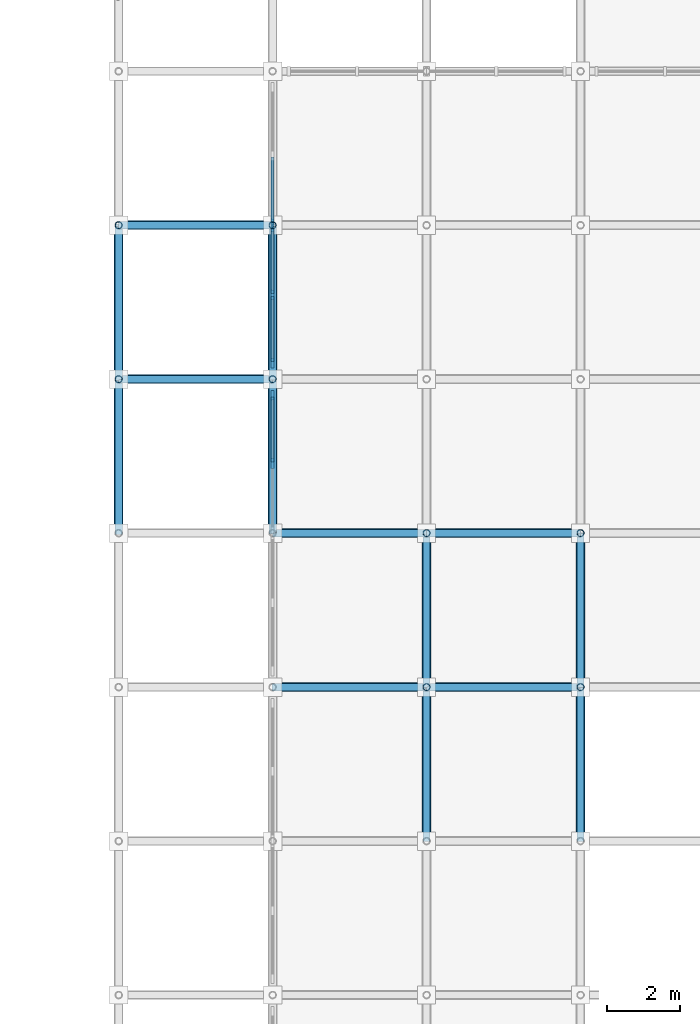
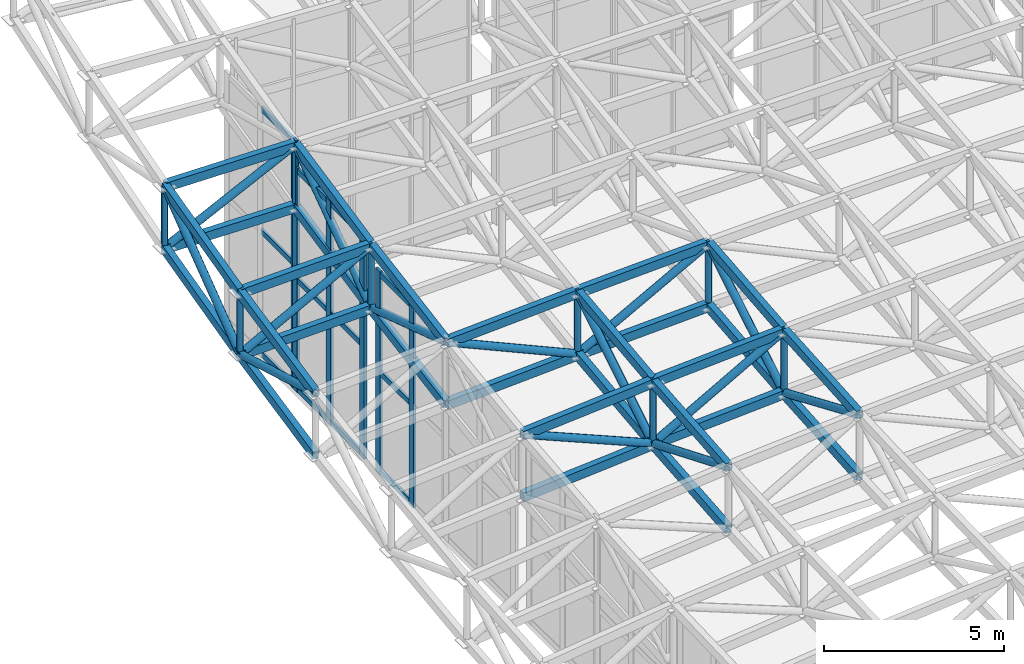
# One storey, part 44 of 123: 68 members, 3 elements without a shape of their own.
"""IFC4 building model written with IfcOpenShell, lengths in metres."""

from ifc_helpers import new_model, si_unit, direction, frame, origin, origin_2d, place, context, subcontext, project, spatial, rectangle, hollow_rectangle, hollow_circle, extrude, material, material_profile, profile_set, type_object, element, aggregate, save


model = new_model("IFC4")

# Units and contexts
model_context = context("Model", 3, precision=1e-05, world=origin(), true_north=direction((0.0, 1.0)))
body_context = subcontext(model_context, "Body", "Model", "MODEL_VIEW")
ifc_project = project(units=[si_unit("LENGTHUNIT", "METRE"), si_unit("AREAUNIT", "SQUARE_METRE"), si_unit("VOLUMEUNIT", "CUBIC_METRE"), si_unit("PLANEANGLEUNIT", "RADIAN"), si_unit("MASSUNIT", "GRAM", prefix="KILO")], contexts=[model_context])

# Site, building, storey
site_placement = place(None, origin())
site = spatial("IfcSite", under=ifc_project, at=site_placement, CompositionType="ELEMENT")
building_placement = place(site_placement, origin())
building = spatial("IfcBuilding", under=site, at=building_placement, Name="Cumbredor Promenade Congress Hotel", CompositionType="ELEMENT")
storey_placement = place(building_placement, frame((0.0, 0.0, 11.760009765625)))
storey = spatial("IfcBuildingStorey", under=building, at=storey_placement, Name="L03", CompositionType="ELEMENT", Elevation=11.760009765625)

# Members
ifc_material_1 = material(Name="Steel ASTM A500 Grade C", Category="steel")
ifc_material_profile_1 = material_profile(ifc_material_1, hollow_rectangle(XDim=0.199951171875, YDim=0.300048828125, WallThickness=0.012451171875, at=origin_2d()), Name="HSS 300x200x12.5")
ifc_profile_set_1 = profile_set([ifc_material_profile_1], Name="Steel ASTM A500 Grade C")
member_type_1 = type_object("IfcMemberType", Name="Ballroom Roof Space Frame Chord", PredefinedType="CHORD", material=ifc_profile_set_1)
for number, where, z_axis, x_axis, name in (
    (1, (142.800048828125, 50.39990234375, 6.106689453125), (0.997042541012, 0.0, 0.076851619449), (0.0, 1.0, 0.0), "Grand Ballroom Pavilion X Top Chord 2.13"),
    (2, (142.800048828125, 50.39990234375, 4.006591796875), (0.997042541012, 0.0, 0.076851619449), (0.0, 1.0, 0.0), "Grand Ballroom Pavilion X Bottom Chord 2.13"),
):
    element("IfcMember", number, at=place(storey_placement, frame(where, z_axis=z_axis, x_axis=x_axis)), inside=storey, type_object=member_type_1, Name=name, PredefinedType="CHORD", context=body_context, shape_type="SweptSolid", body=[
        extrude(hollow_rectangle(XDim=0.199951171875, YDim=0.300048828125, WallThickness=0.012451171875, at=origin_2d()), origin(), (0.0, 0.0, 1.0), 4.21240234375),
    ])
for number, where, z_axis, x_axis, name in (
    (3, (147.0, 50.39990234375, 6.430419921875), (0.998208936588, 0.0, 0.059824066362), (0.0, 1.0, 0.0), "Grand Ballroom Pavilion X Top Chord 3.13"),
    (4, (147.0, 50.39990234375, 4.330322265625), (0.998205469834, 0.0, 0.059881883675), (0.0, 1.0, 0.0), "Grand Ballroom Pavilion X Bottom Chord 3.13"),
):
    element("IfcMember", number, at=place(storey_placement, frame(where, z_axis=z_axis, x_axis=x_axis)), inside=storey, type_object=member_type_1, Name=name, PredefinedType="CHORD", context=body_context, shape_type="SweptSolid", body=[
        extrude(hollow_rectangle(XDim=0.199951171875, YDim=0.300048828125, WallThickness=0.012451171875, at=origin_2d()), origin(), (0.0, 0.0, 1.0), 4.20751953125),
    ])
for number, where, z_axis, x_axis, name in (
    (5, (142.800048828125, 54.60009765625, 6.69189453125), (0.998569958899, 0.0, 0.05346061339), (0.0, 1.0, 0.0), "Grand Ballroom Pavilion X Top Chord 2.14"),
    (6, (142.800048828125, 54.60009765625, 4.592041015625), (0.998573055983, 0.0, 0.05340273275), (0.0, 1.0, 0.0), "Grand Ballroom Pavilion X Bottom Chord 2.14"),
):
    element("IfcMember", number, at=place(storey_placement, frame(where, z_axis=z_axis, x_axis=x_axis)), inside=storey, type_object=member_type_1, Name=name, PredefinedType="CHORD", context=body_context, shape_type="SweptSolid", body=[
        extrude(hollow_rectangle(XDim=0.199951171875, YDim=0.300048828125, WallThickness=0.012451171875, at=origin_2d()), origin(), (0.0, 0.0, 1.0), 4.2060546875),
    ])
for number, where, z_axis, x_axis, name in (
    (7, (147.0, 54.60009765625, 6.916748046875), (0.999137395956, 0.0, 0.041526666169), (0.0, 1.0, 0.0), "Grand Ballroom Pavilion X Top Chord 3.14"),
    (8, (147.0, 54.60009765625, 4.816650390625), (0.999137395956, 0.0, 0.041526666169), (0.0, 1.0, 0.0), "Grand Ballroom Pavilion X Bottom Chord 3.14"),
):
    element("IfcMember", number, at=place(storey_placement, frame(where, z_axis=z_axis, x_axis=x_axis)), inside=storey, type_object=member_type_1, Name=name, PredefinedType="CHORD", context=body_context, shape_type="SweptSolid", body=[
        extrude(hollow_rectangle(XDim=0.199951171875, YDim=0.300048828125, WallThickness=0.012451171875, at=origin_2d()), origin(), (0.0, 0.0, 1.0), 4.20361328125),
    ])
for number, where, z_axis, x_axis, name in (
    (9, (138.60009765625, 58.800048828125, 7.3037109375), (0.999592939117, 0.0, 0.028529915312), (0.0, 1.0, 0.0), "Grand Ballroom Pavilion X Top Chord 1.15"),
    (10, (138.60009765625, 58.800048828125, 5.20361328125), (0.999592939117, 0.0, 0.028529915312), (0.0, 1.0, 0.0), "Grand Ballroom Pavilion X Bottom Chord 1.15"),
):
    element("IfcMember", number, at=place(storey_placement, frame(where, z_axis=z_axis, x_axis=x_axis)), inside=storey, type_object=member_type_1, Name=name, PredefinedType="CHORD", context=body_context, shape_type="SweptSolid", body=[
        extrude(hollow_rectangle(XDim=0.199951171875, YDim=0.300048828125, WallThickness=0.012451171875, at=origin_2d()), origin(), (0.0, 0.0, 1.0), 4.20166015625),
    ])
for number, where, z_axis, x_axis, name in (
    (11, (138.60009765625, 63.0, 8.36376953125), (0.99988929444, 0.0, -0.014879477962), (0.0, 1.0, 0.0), "Grand Ballroom Pavilion X Top Chord 1.16"),
    (12, (138.60009765625, 63.0, 6.263916015625), (0.999888428009, 0.0, -0.014937587979), (0.0, 1.0, 0.0), "Grand Ballroom Pavilion X Bottom Chord 1.16"),
):
    element("IfcMember", number, at=place(storey_placement, frame(where, z_axis=z_axis, x_axis=x_axis)), inside=storey, type_object=member_type_1, Name=name, PredefinedType="CHORD", context=body_context, shape_type="SweptSolid", body=[
        extrude(hollow_rectangle(XDim=0.199951171875, YDim=0.300048828125, WallThickness=0.012451171875, at=origin_2d()), origin(), (0.0, 0.0, 1.0), 4.200439453125),
    ])
for number, where, z_axis, x_axis, name in (
    (13, (138.60009765625, 54.60009765625, 6.419677734375), (0.0, 0.978557630203, 0.205973212752), (-1.0, 0.0, 0.0), "Grand Ballroom Pavilion Y Top Chord 1.14"),
    (14, (138.60009765625, 54.60009765625, 4.31982421875), (0.0, 0.978569093962, 0.205918742088), (-1.0, 0.0, 0.0), "Grand Ballroom Pavilion Y Bottom Chord 1.14"),
):
    element("IfcMember", number, at=place(storey_placement, frame(where, z_axis=z_axis, x_axis=x_axis)), inside=storey, type_object=member_type_1, Name=name, PredefinedType="CHORD", context=body_context, shape_type="SweptSolid", body=[
        extrude(hollow_rectangle(XDim=0.199951171875, YDim=0.300048828125, WallThickness=0.012451171875, at=origin_2d()), origin(), (0.0, 0.0, 1.0), 4.2919921875),
    ])
member_1_placement = place(storey_placement, frame((138.60009765625, 58.800048828125, 7.3037109375), z_axis=(0.0, 0.969592990893, 0.24472317424), x_axis=(-1.0, 0.0, 0.0)))
element("IfcMember", 15, at=member_1_placement, inside=storey, type_object=member_type_1, Name="Grand Ballroom Pavilion Y Top Chord 1.15", PredefinedType="CHORD", context=body_context, shape_type="SweptSolid", body=[
    extrude(hollow_rectangle(XDim=0.199951171875, YDim=0.300048828125, WallThickness=0.012451171875, at=origin_2d()), origin(), (0.0, 0.0, 1.0), 4.33154296875),
])
member_2_placement = place(storey_placement, frame((138.60009765625, 58.800048828125, 5.20361328125), z_axis=(0.0, 0.969579615984, 0.24477615952), x_axis=(-1.0, 0.0, 0.0)))
element("IfcMember", 16, at=member_2_placement, inside=storey, type_object=member_type_1, Name="Grand Ballroom Pavilion Y Bottom Chord 1.15", PredefinedType="CHORD", context=body_context, shape_type="SweptSolid", body=[
    extrude(hollow_rectangle(XDim=0.199951171875, YDim=0.300048828125, WallThickness=0.012451171875, at=origin_2d()), origin(), (0.0, 0.0, 1.0), 4.331787109375),
])
for number, where, z_axis, x_axis, name in (
    (17, (142.800048828125, 54.60009765625, 6.69189453125), (0.0, 0.985161696288, 0.171628762645), (-1.0, 0.0, 0.0), "Grand Ballroom Pavilion Y Top Chord 2.14"),
    (18, (142.800048828125, 54.60009765625, 4.592041015625), (0.0, 0.985171377614, 0.171573181848), (-1.0, 0.0, 0.0), "Grand Ballroom Pavilion Y Bottom Chord 2.14"),
):
    element("IfcMember", number, at=place(storey_placement, frame(where, z_axis=z_axis, x_axis=x_axis)), inside=storey, type_object=member_type_1, Name=name, PredefinedType="CHORD", context=body_context, shape_type="SweptSolid", body=[
        extrude(hollow_rectangle(XDim=0.199951171875, YDim=0.300048828125, WallThickness=0.012451171875, at=origin_2d()), origin(), (0.0, 0.0, 1.0), 4.26318359375),
    ])
for number, where, z_axis, x_axis, name in (
    (19, (142.800048828125, 58.800048828125, 7.423583984375), (0.0, 0.978854788944, 0.204556354488), (-1.0, 0.0, 0.0), "Grand Ballroom Pavilion Y Top Chord 2.15"),
    (20, (142.800048828125, 58.800048828125, 5.323486328125), (0.0, 0.978854788944, 0.204556354488), (-1.0, 0.0, 0.0), "Grand Ballroom Pavilion Y Bottom Chord 2.15"),
):
    element("IfcMember", number, at=place(storey_placement, frame(where, z_axis=z_axis, x_axis=x_axis)), inside=storey, type_object=member_type_1, Name=name, PredefinedType="CHORD", context=body_context, shape_type="SweptSolid", body=[
        extrude(hollow_rectangle(XDim=0.199951171875, YDim=0.300048828125, WallThickness=0.012451171875, at=origin_2d()), origin(), (0.0, 0.0, 1.0), 4.290771484375),
    ])
for number, where, z_axis, x_axis, name in (
    (21, (147.0, 46.199951171875, 6.065673828125), (0.0, 0.996250143488, 0.086519660197), (-1.0, 0.0, 0.0), "Grand Ballroom Pavilion Y Top Chord 3.12"),
    (22, (147.0, 46.199951171875, 3.965576171875), (0.0, 0.996250143488, 0.086519660197), (-1.0, 0.0, 0.0), "Grand Ballroom Pavilion Y Bottom Chord 3.12"),
):
    element("IfcMember", number, at=place(storey_placement, frame(where, z_axis=z_axis, x_axis=x_axis)), inside=storey, type_object=member_type_1, Name=name, PredefinedType="CHORD", context=body_context, shape_type="SweptSolid", body=[
        extrude(hollow_rectangle(XDim=0.199951171875, YDim=0.300048828125, WallThickness=0.012451171875, at=origin_2d()), origin(), (0.0, 0.0, 1.0), 4.2158203125),
    ])
for number, where, z_axis, x_axis, name in (
    (23, (147.0, 50.39990234375, 6.430419921875), (0.0, 0.993363339679, 0.11501858711), (-1.0, 0.0, 0.0), "Grand Ballroom Pavilion Y Top Chord 3.13"),
    (24, (147.0, 50.39990234375, 4.330322265625), (0.0, 0.993363339679, 0.11501858711), (-1.0, 0.0, 0.0), "Grand Ballroom Pavilion Y Bottom Chord 3.13"),
):
    element("IfcMember", number, at=place(storey_placement, frame(where, z_axis=z_axis, x_axis=x_axis)), inside=storey, type_object=member_type_1, Name=name, PredefinedType="CHORD", context=body_context, shape_type="SweptSolid", body=[
        extrude(hollow_rectangle(XDim=0.199951171875, YDim=0.300048828125, WallThickness=0.012451171875, at=origin_2d()), origin(), (0.0, 0.0, 1.0), 4.228271484375),
    ])
for number, where, z_axis, x_axis, name in (
    (25, (151.199951171875, 46.199951171875, 6.37548828125), (0.0, 0.997345340249, 0.072816703328), (-1.0, 0.0, 0.0), "Grand Ballroom Pavilion Y Top Chord 4.12"),
    (26, (151.199951171875, 46.199951171875, 4.275390625), (0.0, 0.997341128252, 0.072874370645), (-1.0, 0.0, 0.0), "Grand Ballroom Pavilion Y Bottom Chord 4.12"),
):
    element("IfcMember", number, at=place(storey_placement, frame(where, z_axis=z_axis, x_axis=x_axis)), inside=storey, type_object=member_type_1, Name=name, PredefinedType="CHORD", context=body_context, shape_type="SweptSolid", body=[
        extrude(hollow_rectangle(XDim=0.199951171875, YDim=0.300048828125, WallThickness=0.012451171875, at=origin_2d()), origin(), (0.0, 0.0, 1.0), 4.211181640625),
    ])
for number, where, z_axis, x_axis, name in (
    (27, (151.199951171875, 50.39990234375, 6.68212890625), (0.0, 0.995288260444, 0.096960190915), (-1.0, 0.0, 0.0), "Grand Ballroom Pavilion Y Top Chord 4.13"),
    (28, (151.199951171875, 50.39990234375, 4.582275390625), (0.0, 0.99529384175, 0.096902882175), (-1.0, 0.0, 0.0), "Grand Ballroom Pavilion Y Bottom Chord 4.13"),
):
    element("IfcMember", number, at=place(storey_placement, frame(where, z_axis=z_axis, x_axis=x_axis)), inside=storey, type_object=member_type_1, Name=name, PredefinedType="CHORD", context=body_context, shape_type="SweptSolid", body=[
        extrude(hollow_rectangle(XDim=0.199951171875, YDim=0.300048828125, WallThickness=0.012451171875, at=origin_2d()), origin(), (0.0, 0.0, 1.0), 4.219970703125),
    ])

# Curtain wall, members
ifc_material_2 = material(Name="Thermally broken anodized aluminium and low-E glass", Category="aluminium")
curtain_wall_type = type_object("IfcCurtainWallType", Name="Stepped Pavilion Clerestory Curtain Wall CW-06", PredefinedType="NOTDEFINED", material=ifc_material_2)
curtain_wall_1_placement = place(storey_placement, origin())
curtain_wall_1 = element("IfcCurtainWall", 29, at=curtain_wall_1_placement, inside=storey, type_object=curtain_wall_type, Name="Grand Ballroom Pavilion W Glazed Clerestory 12", PredefinedType="NOTDEFINED")
ifc_material_3 = material(Name="Thermally broken anodized aluminium", Category="aluminium")
ifc_material_profile_2 = material_profile(ifc_material_3, rectangle(XDim=0.0849609375, YDim=0.260009765625, at=origin_2d()), Name="ALU MULLION CLERESTORY 85x260")
ifc_profile_set_2 = profile_set([ifc_material_profile_2], Name="Thermally broken anodized aluminium")
member_type_2 = type_object("IfcMemberType", Name="Curtain Wall Mullion ML-04", PredefinedType="MULLION", material=ifc_profile_set_2)
member_3_placement = place(storey_placement, frame((142.800048828125, 56.5, -0.01806640625), z_axis=(0.0, 0.0, 1.0), x_axis=(1.0, 0.0, 0.0)))
member_3 = element("IfcMember", 30, at=member_3_placement, type_object=member_type_2, Name="Grand Ballroom Pavilion W Glazed Clerestory 12 Mullion 2", PredefinedType="MULLION", context=body_context, shape_type="SweptSolid", body=[
    extrude(rectangle(XDim=0.0849609375, YDim=0.260009765625, at=origin_2d()), origin(), (0.0, 0.0, 1.0), 6.885986328125),
])
member_4_placement = place(storey_placement, frame((142.800048828125, 58.360107421875, -0.01806640625), z_axis=(0.0, 0.0, 1.0), x_axis=(1.0, 0.0, 0.0)))
member_4 = element("IfcMember", 31, at=member_4_placement, type_object=member_type_2, Name="Grand Ballroom Pavilion W Glazed Clerestory 12 Mullion 3", PredefinedType="MULLION", context=body_context, shape_type="SweptSolid", body=[
    extrude(rectangle(XDim=0.0849609375, YDim=0.260009765625, at=origin_2d()), origin(), (0.0, 0.0, 1.0), 6.885986328125),
])

curtain_wall_2_placement = place(storey_placement, origin())
curtain_wall_2 = element("IfcCurtainWall", 32, at=curtain_wall_2_placement, inside=storey, type_object=curtain_wall_type, Name="Grand Ballroom Pavilion W Glazed Clerestory 13", PredefinedType="NOTDEFINED")
member_5_placement = place(storey_placement, frame((142.800048828125, 59.239990234375, -0.01806640625), z_axis=(0.0, 0.0, 1.0), x_axis=(1.0, 0.0, 0.0)))
member_5 = element("IfcMember", 33, at=member_5_placement, type_object=member_type_2, Name="Grand Ballroom Pavilion W Glazed Clerestory 13 Mullion 1", PredefinedType="MULLION", context=body_context, shape_type="SweptSolid", body=[
    extrude(rectangle(XDim=0.0849609375, YDim=0.260009765625, at=origin_2d()), origin(), (0.0, 0.0, 1.0), 7.61767578125),
])
member_6_placement = place(storey_placement, frame((142.800048828125, 61.10009765625, -0.01806640625), z_axis=(0.0, 0.0, 1.0), x_axis=(1.0, 0.0, 0.0)))
member_6 = element("IfcMember", 34, at=member_6_placement, type_object=member_type_2, Name="Grand Ballroom Pavilion W Glazed Clerestory 13 Mullion 2", PredefinedType="MULLION", context=body_context, shape_type="SweptSolid", body=[
    extrude(rectangle(XDim=0.0849609375, YDim=0.260009765625, at=origin_2d()), origin(), (0.0, 0.0, 1.0), 7.61767578125),
])
member_7_placement = place(storey_placement, frame((142.800048828125, 62.9599609375, -0.01806640625), z_axis=(0.0, 0.0, 1.0), x_axis=(1.0, 0.0, 0.0)))
member_7 = element("IfcMember", 35, at=member_7_placement, type_object=member_type_2, Name="Grand Ballroom Pavilion W Glazed Clerestory 13 Mullion 3", PredefinedType="MULLION", context=body_context, shape_type="SweptSolid", body=[
    extrude(rectangle(XDim=0.0849609375, YDim=0.260009765625, at=origin_2d()), origin(), (0.0, 0.0, 1.0), 7.61767578125),
])

# Curtain wall, member
curtain_wall_3_placement = place(storey_placement, origin())
curtain_wall_3 = element("IfcCurtainWall", 36, at=curtain_wall_3_placement, inside=storey, type_object=curtain_wall_type, Name="Grand Ballroom Pavilion W Glazed Clerestory 14", PredefinedType="NOTDEFINED")
member_8_placement = place(storey_placement, frame((142.800048828125, 63.0400390625, -0.01806640625), z_axis=(0.0, 0.0, 1.0), x_axis=(1.0, 0.0, 0.0)))
member_8 = element("IfcMember", 37, at=member_8_placement, type_object=member_type_2, Name="Grand Ballroom Pavilion W Glazed Clerestory 14 Mullion 1", PredefinedType="MULLION", context=body_context, shape_type="SweptSolid", body=[
    extrude(rectangle(XDim=0.0849609375, YDim=0.260009765625, at=origin_2d()), origin(), (0.0, 0.0, 1.0), 8.495361328125),
])

# Member
ifc_material_profile_3 = material_profile(ifc_material_3, rectangle(XDim=0.080078125, YDim=0.179931640625, at=origin_2d()), Name="ALU TRANSOM 80x180")
ifc_profile_set_3 = profile_set([ifc_material_profile_3], Name="Thermally broken anodized aluminium")
member_type_3 = type_object("IfcMemberType", Name="Curtain Wall Transom TR-03", PredefinedType="USERDEFINED", material=ifc_profile_set_3)
member_9_placement = place(storey_placement, frame((142.800048828125, 56.54248046875, 0.080078125), z_axis=(0.0, 1.0, 0.0), x_axis=(-1.0, 0.0, 0.0)))
member_9 = element("IfcMember", 38, at=member_9_placement, type_object=member_type_3, Name="Grand Ballroom Pavilion W Glazed Clerestory 12 Transom 2.1", ObjectType="TRANSOM", PredefinedType="USERDEFINED", context=body_context, shape_type="SweptSolid", body=[
    extrude(rectangle(XDim=0.080078125, YDim=0.179931640625, at=origin_2d()), origin(), (0.0, 0.0, 1.0), 1.77490234375),
])

member_10_placement = place(storey_placement, frame((142.800048828125, 56.54248046875, 3.429931640625), z_axis=(0.0, 1.0, 0.0), x_axis=(-1.0, 0.0, 0.0)))
member_10 = element("IfcMember", 39, at=member_10_placement, type_object=member_type_3, Name="Grand Ballroom Pavilion W Glazed Clerestory 12 Transom 2.2", ObjectType="TRANSOM", PredefinedType="USERDEFINED", context=body_context, shape_type="SweptSolid", body=[
    extrude(rectangle(XDim=0.080078125, YDim=0.179931640625, at=origin_2d()), origin(), (0.0, 0.0, 1.0), 1.77490234375),
])

member_11_placement = place(storey_placement, frame((142.800048828125, 56.54248046875, 6.77001953125), z_axis=(0.0, 1.0, 0.0), x_axis=(-1.0, 0.0, 0.0)))
member_11 = element("IfcMember", 40, at=member_11_placement, type_object=member_type_3, Name="Grand Ballroom Pavilion W Glazed Clerestory 12 Transom 2.3", ObjectType="TRANSOM", PredefinedType="USERDEFINED", context=body_context, shape_type="SweptSolid", body=[
    extrude(rectangle(XDim=0.080078125, YDim=0.179931640625, at=origin_2d()), origin(), (0.0, 0.0, 1.0), 1.77490234375),
])

aggregate(curtain_wall_1, [member_3, member_4, member_9, member_10, member_11])

member_12_placement = place(storey_placement, frame((142.800048828125, 59.282470703125, 0.080078125), z_axis=(0.0, 1.0, 0.0), x_axis=(-1.0, 0.0, 0.0)))
member_12 = element("IfcMember", 41, at=member_12_placement, type_object=member_type_3, Name="Grand Ballroom Pavilion W Glazed Clerestory 13 Transom 1.1", ObjectType="TRANSOM", PredefinedType="USERDEFINED", context=body_context, shape_type="SweptSolid", body=[
    extrude(rectangle(XDim=0.080078125, YDim=0.179931640625, at=origin_2d()), origin(), (0.0, 0.0, 1.0), 1.775146484375),
])

member_13_placement = place(storey_placement, frame((142.800048828125, 59.282470703125, 3.7900390625), z_axis=(0.0, 1.0, 0.0), x_axis=(-1.0, 0.0, 0.0)))
member_13 = element("IfcMember", 42, at=member_13_placement, type_object=member_type_3, Name="Grand Ballroom Pavilion W Glazed Clerestory 13 Transom 1.2", ObjectType="TRANSOM", PredefinedType="USERDEFINED", context=body_context, shape_type="SweptSolid", body=[
    extrude(rectangle(XDim=0.080078125, YDim=0.179931640625, at=origin_2d()), origin(), (0.0, 0.0, 1.0), 1.775146484375),
])

member_14_placement = place(storey_placement, frame((142.800048828125, 59.282470703125, 7.5), z_axis=(0.0, 1.0, 0.0), x_axis=(-1.0, 0.0, 0.0)))
member_14 = element("IfcMember", 43, at=member_14_placement, type_object=member_type_3, Name="Grand Ballroom Pavilion W Glazed Clerestory 13 Transom 1.3", ObjectType="TRANSOM", PredefinedType="USERDEFINED", context=body_context, shape_type="SweptSolid", body=[
    extrude(rectangle(XDim=0.080078125, YDim=0.179931640625, at=origin_2d()), origin(), (0.0, 0.0, 1.0), 1.775146484375),
])

member_15_placement = place(storey_placement, frame((142.800048828125, 61.142578125, 0.080078125), z_axis=(0.0, 1.0, 0.0), x_axis=(-1.0, 0.0, 0.0)))
member_15 = element("IfcMember", 44, at=member_15_placement, type_object=member_type_3, Name="Grand Ballroom Pavilion W Glazed Clerestory 13 Transom 2.1", ObjectType="TRANSOM", PredefinedType="USERDEFINED", context=body_context, shape_type="SweptSolid", body=[
    extrude(rectangle(XDim=0.080078125, YDim=0.179931640625, at=origin_2d()), origin(), (0.0, 0.0, 1.0), 1.77490234375),
])

member_16_placement = place(storey_placement, frame((142.800048828125, 61.142578125, 3.7900390625), z_axis=(0.0, 1.0, 0.0), x_axis=(-1.0, 0.0, 0.0)))
member_16 = element("IfcMember", 45, at=member_16_placement, type_object=member_type_3, Name="Grand Ballroom Pavilion W Glazed Clerestory 13 Transom 2.2", ObjectType="TRANSOM", PredefinedType="USERDEFINED", context=body_context, shape_type="SweptSolid", body=[
    extrude(rectangle(XDim=0.080078125, YDim=0.179931640625, at=origin_2d()), origin(), (0.0, 0.0, 1.0), 1.77490234375),
])

member_17_placement = place(storey_placement, frame((142.800048828125, 61.142578125, 7.5), z_axis=(0.0, 1.0, 0.0), x_axis=(-1.0, 0.0, 0.0)))
member_17 = element("IfcMember", 46, at=member_17_placement, type_object=member_type_3, Name="Grand Ballroom Pavilion W Glazed Clerestory 13 Transom 2.3", ObjectType="TRANSOM", PredefinedType="USERDEFINED", context=body_context, shape_type="SweptSolid", body=[
    extrude(rectangle(XDim=0.080078125, YDim=0.179931640625, at=origin_2d()), origin(), (0.0, 0.0, 1.0), 1.77490234375),
])

aggregate(curtain_wall_2, [member_5, member_6, member_7, member_12, member_13, member_14, member_15, member_16, member_17])

member_18_placement = place(storey_placement, frame((142.800048828125, 63.08251953125, 0.080078125), z_axis=(0.0, 1.0, 0.0), x_axis=(-1.0, 0.0, 0.0)))
member_18 = element("IfcMember", 47, at=member_18_placement, type_object=member_type_3, Name="Grand Ballroom Pavilion W Glazed Clerestory 14 Transom 1.1", ObjectType="TRANSOM", PredefinedType="USERDEFINED", context=body_context, shape_type="SweptSolid", body=[
    extrude(rectangle(XDim=0.080078125, YDim=0.179931640625, at=origin_2d()), origin(), (0.0, 0.0, 1.0), 1.77490234375),
])

member_19_placement = place(storey_placement, frame((142.800048828125, 63.08251953125, 4.22998046875), z_axis=(0.0, 1.0, 0.0), x_axis=(-1.0, 0.0, 0.0)))
member_19 = element("IfcMember", 48, at=member_19_placement, type_object=member_type_3, Name="Grand Ballroom Pavilion W Glazed Clerestory 14 Transom 1.2", ObjectType="TRANSOM", PredefinedType="USERDEFINED", context=body_context, shape_type="SweptSolid", body=[
    extrude(rectangle(XDim=0.080078125, YDim=0.179931640625, at=origin_2d()), origin(), (0.0, 0.0, 1.0), 1.77490234375),
])

member_20_placement = place(storey_placement, frame((142.800048828125, 63.08251953125, 8.3798828125), z_axis=(0.0, 1.0, 0.0), x_axis=(-1.0, 0.0, 0.0)))
member_20 = element("IfcMember", 49, at=member_20_placement, type_object=member_type_3, Name="Grand Ballroom Pavilion W Glazed Clerestory 14 Transom 1.3", ObjectType="TRANSOM", PredefinedType="USERDEFINED", context=body_context, shape_type="SweptSolid", body=[
    extrude(rectangle(XDim=0.080078125, YDim=0.179931640625, at=origin_2d()), origin(), (0.0, 0.0, 1.0), 1.77490234375),
])

aggregate(curtain_wall_3, [member_8, member_18, member_19, member_20])

# Members
ifc_material_profile_4 = material_profile(ifc_material_1, hollow_circle(Radius=0.122314453125, WallThickness=0.012451171875, at=origin_2d()), Name="CHS 244.5x12.5")
ifc_profile_set_4 = profile_set([ifc_material_profile_4], Name="Steel ASTM A500 Grade C")
member_type_4 = type_object("IfcMemberType", Name="Space Frame Web Diagonal D2", PredefinedType="BRACE", material=ifc_profile_set_4)
member_21_placement = place(storey_placement, frame((142.800048828125, 50.39990234375, 6.106689453125), z_axis=(0.921009363818, 0.0, -0.389540436618), x_axis=(0.0, 1.0, 0.0)))
element("IfcMember", 50, at=member_21_placement, inside=storey, type_object=member_type_4, Name="Grand Ballroom Pavilion X Web Diagonal 2.13", PredefinedType="BRACE", context=body_context, shape_type="SweptSolid", body=[
    extrude(hollow_circle(Radius=0.122314453125, WallThickness=0.012451171875, at=origin_2d()), origin(), (0.0, 0.0, 1.0), 4.56005859375),
])
member_22_placement = place(storey_placement, frame((147.0, 50.39990234375, 4.330322265625), z_axis=(0.872520718534, 0.0, 0.48857711339), x_axis=(0.0, 1.0, 0.0)))
element("IfcMember", 51, at=member_22_placement, inside=storey, type_object=member_type_4, Name="Grand Ballroom Pavilion X Web Diagonal 3.13", PredefinedType="BRACE", context=body_context, shape_type="SweptSolid", body=[
    extrude(hollow_circle(Radius=0.122314453125, WallThickness=0.012451171875, at=origin_2d()), origin(), (0.0, 0.0, 1.0), 4.8134765625),
])
member_23_placement = place(storey_placement, frame((142.800048828125, 54.60009765625, 6.69189453125), z_axis=(0.913116358877, 0.0, -0.407699049732), x_axis=(0.0, 1.0, 0.0)))
element("IfcMember", 52, at=member_23_placement, inside=storey, type_object=member_type_4, Name="Grand Ballroom Pavilion X Web Diagonal 2.14", PredefinedType="BRACE", context=body_context, shape_type="SweptSolid", body=[
    extrude(hollow_circle(Radius=0.122314453125, WallThickness=0.012451171875, at=origin_2d()), origin(), (0.0, 0.0, 1.0), 4.599609375),
])
member_24_placement = place(storey_placement, frame((147.0, 54.60009765625, 4.816650390625), z_axis=(0.879319614814, 0.0, 0.47623210203), x_axis=(0.0, 1.0, 0.0)))
element("IfcMember", 53, at=member_24_placement, inside=storey, type_object=member_type_4, Name="Grand Ballroom Pavilion X Web Diagonal 3.14", PredefinedType="BRACE", context=body_context, shape_type="SweptSolid", body=[
    extrude(hollow_circle(Radius=0.122314453125, WallThickness=0.012451171875, at=origin_2d()), origin(), (0.0, 0.0, 1.0), 4.7763671875),
])
member_25_placement = place(storey_placement, frame((138.60009765625, 58.800048828125, 5.20361328125), z_axis=(0.884095243613, 0.0, 0.467306751739), x_axis=(0.0, 1.0, 0.0)))
element("IfcMember", 54, at=member_25_placement, inside=storey, type_object=member_type_4, Name="Grand Ballroom Pavilion X Web Diagonal 1.15", PredefinedType="BRACE", context=body_context, shape_type="SweptSolid", body=[
    extrude(hollow_circle(Radius=0.122314453125, WallThickness=0.012451171875, at=origin_2d()), origin(), (0.0, 0.0, 1.0), 4.75048828125),
])
member_26_placement = place(storey_placement, frame((138.60009765625, 63.0, 6.263916015625), z_axis=(0.8997288535, 0.0, 0.436449298521), x_axis=(0.0, 1.0, 0.0)))
element("IfcMember", 55, at=member_26_placement, inside=storey, type_object=member_type_4, Name="Grand Ballroom Pavilion X Web Diagonal 1.16", PredefinedType="BRACE", context=body_context, shape_type="SweptSolid", body=[
    extrude(hollow_circle(Radius=0.122314453125, WallThickness=0.012451171875, at=origin_2d()), origin(), (0.0, 0.0, 1.0), 4.66796875),
])
member_27_placement = place(storey_placement, frame((138.60009765625, 54.60009765625, 6.419677734375), z_axis=(0.0, 0.960546601891, -0.278119085277), x_axis=(-1.0, 0.0, 0.0)))
element("IfcMember", 56, at=member_27_placement, inside=storey, type_object=member_type_4, Name="Grand Ballroom Pavilion Y Web Diagonal 1.14", PredefinedType="BRACE", context=body_context, shape_type="SweptSolid", body=[
    extrude(hollow_circle(Radius=0.122314453125, WallThickness=0.012451171875, at=origin_2d()), origin(), (0.0, 0.0, 1.0), 4.37255859375),
])
member_28_placement = place(storey_placement, frame((138.60009765625, 58.800048828125, 5.20361328125), z_axis=(0.0, 0.79906819225, 0.601240404609), x_axis=(-1.0, 0.0, 0.0)))
element("IfcMember", 57, at=member_28_placement, inside=storey, type_object=member_type_4, Name="Grand Ballroom Pavilion Y Web Diagonal 1.15", PredefinedType="BRACE", context=body_context, shape_type="SweptSolid", body=[
    extrude(hollow_circle(Radius=0.122314453125, WallThickness=0.012451171875, at=origin_2d()), origin(), (0.0, 0.0, 1.0), 5.256103515625),
])
member_29_placement = place(storey_placement, frame((142.800048828125, 54.60009765625, 6.69189453125), z_axis=(0.0, 0.950805951358, -0.309787092795), x_axis=(-1.0, 0.0, 0.0)))
element("IfcMember", 58, at=member_29_placement, inside=storey, type_object=member_type_4, Name="Grand Ballroom Pavilion Y Web Diagonal 2.14", PredefinedType="BRACE", context=body_context, shape_type="SweptSolid", body=[
    extrude(hollow_circle(Radius=0.122314453125, WallThickness=0.012451171875, at=origin_2d()), origin(), (0.0, 0.0, 1.0), 4.417236328125),
])
member_30_placement = place(storey_placement, frame((142.800048828125, 58.800048828125, 5.323486328125), z_axis=(0.0, 0.81576624853, 0.578381731868), x_axis=(-1.0, 0.0, 0.0)))
element("IfcMember", 59, at=member_30_placement, inside=storey, type_object=member_type_4, Name="Grand Ballroom Pavilion Y Web Diagonal 2.15", PredefinedType="BRACE", context=body_context, shape_type="SweptSolid", body=[
    extrude(hollow_circle(Radius=0.122314453125, WallThickness=0.012451171875, at=origin_2d()), origin(), (0.0, 0.0, 1.0), 5.1484375),
])
member_31_placement = place(storey_placement, frame((147.0, 46.199951171875, 6.065673828125), z_axis=(0.0, 0.924215677374, -0.381870896633), x_axis=(-1.0, 0.0, 0.0)))
element("IfcMember", 60, at=member_31_placement, inside=storey, type_object=member_type_4, Name="Grand Ballroom Pavilion Y Web Diagonal 3.12", PredefinedType="BRACE", context=body_context, shape_type="SweptSolid", body=[
    extrude(hollow_circle(Radius=0.122314453125, WallThickness=0.012451171875, at=origin_2d()), origin(), (0.0, 0.0, 1.0), 4.54443359375),
])
member_32_placement = place(storey_placement, frame((147.0, 50.39990234375, 4.330322265625), z_axis=(0.0, 0.851505335711, 0.524345938533), x_axis=(-1.0, 0.0, 0.0)))
element("IfcMember", 61, at=member_32_placement, inside=storey, type_object=member_type_4, Name="Grand Ballroom Pavilion Y Web Diagonal 3.13", PredefinedType="BRACE", context=body_context, shape_type="SweptSolid", body=[
    extrude(hollow_circle(Radius=0.122314453125, WallThickness=0.012451171875, at=origin_2d()), origin(), (0.0, 0.0, 1.0), 4.9326171875),
])
member_33_placement = place(storey_placement, frame((151.199951171875, 46.199951171875, 6.37548828125), z_axis=(0.0, 0.91968062597, -0.392667220703), x_axis=(-1.0, 0.0, 0.0)))
element("IfcMember", 62, at=member_33_placement, inside=storey, type_object=member_type_4, Name="Grand Ballroom Pavilion Y Web Diagonal 4.12", PredefinedType="BRACE", context=body_context, shape_type="SweptSolid", body=[
    extrude(hollow_circle(Radius=0.122314453125, WallThickness=0.012451171875, at=origin_2d()), origin(), (0.0, 0.0, 1.0), 4.566650390625),
])
member_34_placement = place(storey_placement, frame((151.199951171875, 50.39990234375, 4.582275390625), z_axis=(0.0, 0.858490788357, 0.512828983489), x_axis=(-1.0, 0.0, 0.0)))
element("IfcMember", 63, at=member_34_placement, inside=storey, type_object=member_type_4, Name="Grand Ballroom Pavilion Y Web Diagonal 4.13", PredefinedType="BRACE", context=body_context, shape_type="SweptSolid", body=[
    extrude(hollow_circle(Radius=0.122314453125, WallThickness=0.012451171875, at=origin_2d()), origin(), (0.0, 0.0, 1.0), 4.892578125),
])
ifc_material_profile_5 = material_profile(ifc_material_1, hollow_circle(Radius=0.096923828125, WallThickness=0.010009765625, at=origin_2d()), Name="CHS 193.7x10")
ifc_profile_set_5 = profile_set([ifc_material_profile_5], Name="Steel ASTM A500 Grade C")
member_type_5 = type_object("IfcMemberType", Name="Space Frame Web Post P1", PredefinedType="BRACE", material=ifc_profile_set_5)
member_35_placement = place(storey_placement, frame((138.60009765625, 58.800048828125, 5.20361328125), z_axis=(0.0, 0.0, 1.0), x_axis=(1.0, 0.0, 0.0)))
element("IfcMember", 64, at=member_35_placement, inside=storey, type_object=member_type_5, Name="Grand Ballroom Pavilion Space Frame Web Post 1.15", PredefinedType="BRACE", context=body_context, shape_type="SweptSolid", body=[
    extrude(hollow_circle(Radius=0.096923828125, WallThickness=0.010009765625, at=origin_2d()), origin(), (0.0, 0.0, 1.0), 2.10009765625),
])
member_36_placement = place(storey_placement, frame((138.60009765625, 63.0, 6.263916015625), z_axis=(0.0, 0.0, 1.0), x_axis=(1.0, 0.0, 0.0)))
element("IfcMember", 65, at=member_36_placement, inside=storey, type_object=member_type_5, Name="Grand Ballroom Pavilion Space Frame Web Post 1.16", PredefinedType="BRACE", context=body_context, shape_type="SweptSolid", body=[
    extrude(hollow_circle(Radius=0.096923828125, WallThickness=0.010009765625, at=origin_2d()), origin(), (0.0, 0.0, 1.0), 2.099853515625),
])
for number, where, z_axis, x_axis, name in (
    (66, (142.800048828125, 58.800048828125, 5.323486328125), (0.0, 0.0, 1.0), (1.0, 0.0, 0.0), "Grand Ballroom Pavilion Space Frame Web Post 2.15"),
    (67, (142.800048828125, 63.0, 6.201171875), (0.0, 0.0, 1.0), (1.0, 0.0, 0.0), "Grand Ballroom Pavilion Space Frame Web Post 2.16"),
    (68, (147.0, 50.39990234375, 4.330322265625), (0.0, 0.0, 1.0), (1.0, 0.0, 0.0), "Grand Ballroom Pavilion Space Frame Web Post 3.13"),
    (69, (147.0, 54.60009765625, 4.816650390625), (0.0, 0.0, 1.0), (1.0, 0.0, 0.0), "Grand Ballroom Pavilion Space Frame Web Post 3.14"),
):
    element("IfcMember", number, at=place(storey_placement, frame(where, z_axis=z_axis, x_axis=x_axis)), inside=storey, type_object=member_type_5, Name=name, PredefinedType="BRACE", context=body_context, shape_type="SweptSolid", body=[
        extrude(hollow_circle(Radius=0.096923828125, WallThickness=0.010009765625, at=origin_2d()), origin(), (0.0, 0.0, 1.0), 2.10009765625),
    ])
member_37_placement = place(storey_placement, frame((151.199951171875, 50.39990234375, 4.582275390625), z_axis=(0.0, 0.0, 1.0), x_axis=(1.0, 0.0, 0.0)))
element("IfcMember", 70, at=member_37_placement, inside=storey, type_object=member_type_5, Name="Grand Ballroom Pavilion Space Frame Web Post 4.13", PredefinedType="BRACE", context=body_context, shape_type="SweptSolid", body=[
    extrude(hollow_circle(Radius=0.096923828125, WallThickness=0.010009765625, at=origin_2d()), origin(), (0.0, 0.0, 1.0), 2.099853515625),
])
member_38_placement = place(storey_placement, frame((151.199951171875, 54.60009765625, 4.9912109375), z_axis=(0.0, 0.0, 1.0), x_axis=(1.0, 0.0, 0.0)))
element("IfcMember", 71, at=member_38_placement, inside=storey, type_object=member_type_5, Name="Grand Ballroom Pavilion Space Frame Web Post 4.14", PredefinedType="BRACE", context=body_context, shape_type="SweptSolid", body=[
    extrude(hollow_circle(Radius=0.096923828125, WallThickness=0.010009765625, at=origin_2d()), origin(), (0.0, 0.0, 1.0), 2.10009765625),
])

save(model, "model.ifc")
